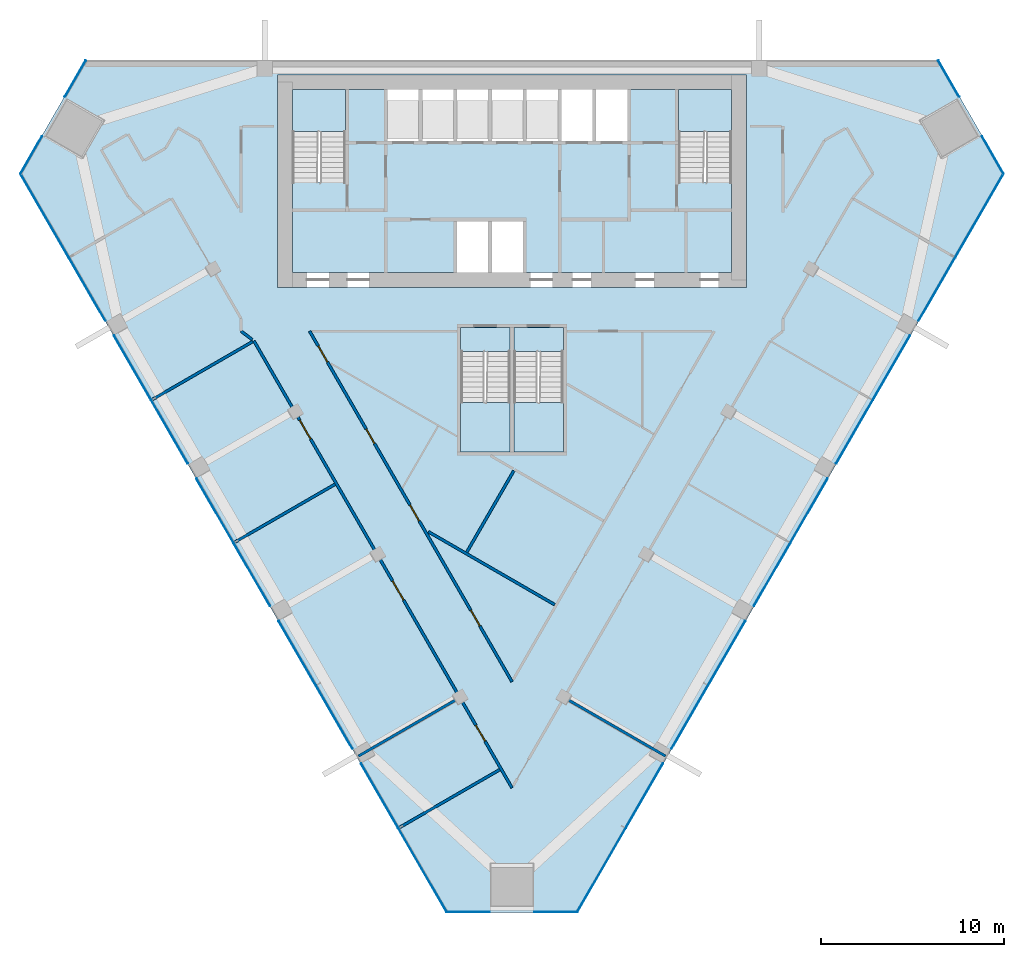
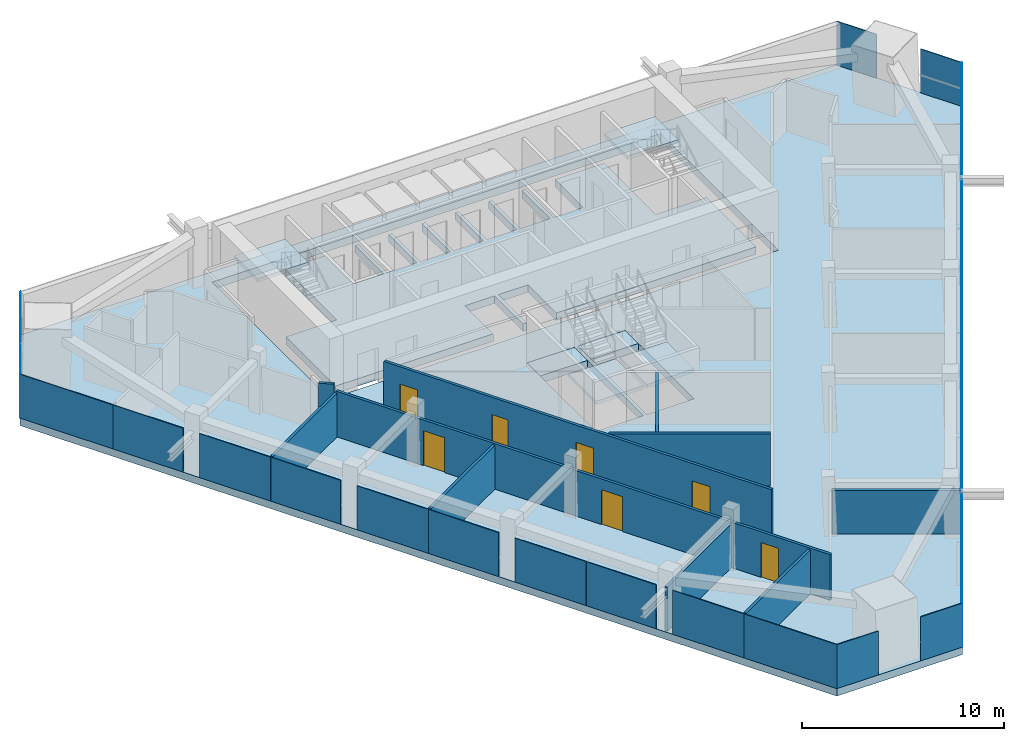
# One storey, part 8 of 13: 26 plates, 10 walls, 8 slabs, 7 doors, 7 openings, 9 elements without a shape of their own.
"""IFC4 building model written with IfcOpenShell, lengths in metres."""

from ifc_helpers import new_model, si_unit, direction, frame, frame_2d, origin, origin_2d, place, context, subcontext, project, spatial, polyline, rectangle, outline, extrude, material, layer, layer_set, type_object, element, fill, aggregate, save


model = new_model("IFC4")

# Units and contexts
model_context = context("Model", 3, precision=1e-05, world=origin(), true_north=direction((0.0, 1.0)))
body_context = subcontext(model_context, "Body", "Model", "MODEL_VIEW")
ifc_project = project(units=[si_unit("LENGTHUNIT", "METRE"), si_unit("AREAUNIT", "SQUARE_METRE"), si_unit("VOLUMEUNIT", "CUBIC_METRE"), si_unit("PLANEANGLEUNIT", "RADIAN"), si_unit("MASSUNIT", "GRAM", prefix="KILO")], contexts=[model_context])

# Site, building, storey
site_placement = place(None, origin())
site = spatial("IfcSite", under=ifc_project, at=site_placement, CompositionType="ELEMENT")
building_placement = place(site_placement, origin())
building = spatial("IfcBuilding", under=site, at=building_placement, Name="Altiplano Prism Tower", CompositionType="ELEMENT")
storey_placement = place(building_placement, frame((0.0, 0.0, 160.199951171875)))
storey = spatial("IfcBuildingStorey", under=building, at=storey_placement, Name="L41", CompositionType="ELEMENT", Elevation=160.199951171875)

# Curtain wall, plates
ifc_material_1 = material(Name="Aluminium and glass", Category="aluminium")
ifc_layer_1 = layer(ifc_material_1, 0.303955078125)
ifc_layer_set_1 = layer_set([ifc_layer_1], Name="Aluminium and glass")
curtain_wall_type = type_object("IfcCurtainWallType", Name="CW2 lounge-band unitised glazing", PredefinedType="NOTDEFINED", material=ifc_layer_set_1)
curtain_wall_1_placement = place(storey_placement, origin())
curtain_wall_1 = element("IfcCurtainWall", 1, at=curtain_wall_1_placement, inside=storey, type_object=curtain_wall_type, Name="CW2 curtain wall north-west chamfer L41", PredefinedType="NOTDEFINED")
ifc_material_2 = material(Name="Clear glass", Category="glass")
ifc_layer_2 = layer(ifc_material_2, 0.0439453125)
ifc_layer_set_2 = layer_set([ifc_layer_2], Name="Clear glass")
plate_type = type_object("IfcPlateType", Name="CW2 insulated glass unit 44", PredefinedType="CURTAIN_PANEL", material=ifc_layer_set_2)
plate_1_placement = place(storey_placement, frame((61.143310546875, 103.994873046875, 0.0), z_axis=(0.0, 0.0, 1.0), x_axis=(-0.500000013241, -0.86602539614, 0.0)))
plate_1 = element("IfcPlate", 2, at=plate_1_placement, type_object=plate_type, Name="CW2 panel", PredefinedType="CURTAIN_PANEL", context=body_context, shape_type="SweptSolid", body=[
    extrude(rectangle(XDim=2.2861328125, YDim=0.0439453125, at=origin_2d()), origin(), (0.0, 0.0, 1.0), 2.64990234375),
])
plate_2_placement = place(storey_placement, frame((58.7353515625, 99.823974609375, 0.0), z_axis=(0.0, 0.0, 1.0), x_axis=(-0.500000013241, -0.86602539614, 0.0)))
plate_2 = element("IfcPlate", 3, at=plate_2_placement, type_object=plate_type, Name="CW2 panel", PredefinedType="CURTAIN_PANEL", context=body_context, shape_type="SweptSolid", body=[
    extrude(rectangle(XDim=2.365966796875, YDim=0.0439453125, at=origin_2d()), origin(), (0.0, 0.0, 1.0), 2.64990234375),
])
aggregate(curtain_wall_1, [plate_1, plate_2])

curtain_wall_2_placement = place(storey_placement, origin())
curtain_wall_2 = element("IfcCurtainWall", 4, at=curtain_wall_2_placement, inside=storey, type_object=curtain_wall_type, Name="CW2 curtain wall south-west face L41", PredefinedType="NOTDEFINED")
plate_3_placement = place(storey_placement, frame((59.466796875, 96.521484375, 0.0), z_axis=(0.0, 0.0, 1.0), x_axis=(0.500000003129, -0.866025401978, 0.0)))
plate_3 = element("IfcPlate", 5, at=plate_3_placement, type_object=plate_type, Name="CW2 panel", PredefinedType="CURTAIN_PANEL", context=body_context, shape_type="SweptSolid", body=[
    extrude(rectangle(XDim=5.291748046875, YDim=0.0439453125, at=origin_2d()), origin(), (0.0, 0.0, 1.0), 2.64990234375),
])
plate_4_placement = place(storey_placement, frame((61.791015625, 92.49560546875, 0.0), z_axis=(0.0, 0.0, 1.0), x_axis=(0.500000003129, -0.866025401978, 0.0)))
plate_4 = element("IfcPlate", 6, at=plate_4_placement, type_object=plate_type, Name="CW2 panel", PredefinedType="CURTAIN_PANEL", context=body_context, shape_type="SweptSolid", body=[
    extrude(rectangle(XDim=3.985595703125, YDim=0.0439453125, at=origin_2d()), origin(), (0.0, 0.0, 1.0), 2.64990234375),
])
plate_5_placement = place(storey_placement, frame((64.2734375, 88.19580078125, 0.0), z_axis=(0.0, 0.0, 1.0), x_axis=(0.500000003129, -0.866025401978, 0.0)))
plate_5 = element("IfcPlate", 7, at=plate_5_placement, type_object=plate_type, Name="CW2 panel", PredefinedType="CURTAIN_PANEL", context=body_context, shape_type="SweptSolid", body=[
    extrude(rectangle(XDim=4.064453125, YDim=0.0439453125, at=origin_2d()), origin(), (0.0, 0.0, 1.0), 2.64990234375),
])
plate_6_placement = place(storey_placement, frame((66.291015625, 84.701416015625, 0.0), z_axis=(0.0, 0.0, 1.0), x_axis=(0.500000003129, -0.866025401978, 0.0)))
plate_6 = element("IfcPlate", 8, at=plate_6_placement, type_object=plate_type, Name="CW2 panel", PredefinedType="CURTAIN_PANEL", context=body_context, shape_type="SweptSolid", body=[
    extrude(rectangle(XDim=3.985595703125, YDim=0.0439453125, at=origin_2d()), origin(), (0.0, 0.0, 1.0), 2.64990234375),
])
plate_7_placement = place(storey_placement, frame((68.7734375, 80.4013671875, 0.0), z_axis=(0.0, 0.0, 1.0), x_axis=(0.500000003129, -0.866025401978, 0.0)))
plate_7 = element("IfcPlate", 9, at=plate_7_placement, type_object=plate_type, Name="CW2 panel", PredefinedType="CURTAIN_PANEL", context=body_context, shape_type="SweptSolid", body=[
    extrude(rectangle(XDim=4.064453125, YDim=0.0439453125, at=origin_2d()), origin(), (0.0, 0.0, 1.0), 2.64990234375),
])
plate_8_placement = place(storey_placement, frame((70.791015625, 76.906982421875, 0.0), z_axis=(0.0, 0.0, 1.0), x_axis=(0.500000003129, -0.866025401978, 0.0)))
plate_8 = element("IfcPlate", 10, at=plate_8_placement, type_object=plate_type, Name="CW2 panel", PredefinedType="CURTAIN_PANEL", context=body_context, shape_type="SweptSolid", body=[
    extrude(rectangle(XDim=3.985595703125, YDim=0.0439453125, at=origin_2d()), origin(), (0.0, 0.0, 1.0), 2.64990234375),
])
plate_9_placement = place(storey_placement, frame((73.2734375, 72.607177734375, 0.0), z_axis=(0.0, 0.0, 1.0), x_axis=(0.500000003129, -0.866025401978, 0.0)))
plate_9 = element("IfcPlate", 11, at=plate_9_placement, type_object=plate_type, Name="CW2 panel", PredefinedType="CURTAIN_PANEL", context=body_context, shape_type="SweptSolid", body=[
    extrude(rectangle(XDim=4.064453125, YDim=0.0439453125, at=origin_2d()), origin(), (0.0, 0.0, 1.0), 2.64990234375),
])
plate_10_placement = place(storey_placement, frame((75.291015625, 69.11279296875, 0.0), z_axis=(0.0, 0.0, 1.0), x_axis=(0.500000003129, -0.866025401978, 0.0)))
plate_10 = element("IfcPlate", 12, at=plate_10_placement, type_object=plate_type, Name="CW2 panel", PredefinedType="CURTAIN_PANEL", context=body_context, shape_type="SweptSolid", body=[
    extrude(rectangle(XDim=3.985595703125, YDim=0.0439453125, at=origin_2d()), origin(), (0.0, 0.0, 1.0), 2.64990234375),
])
plate_11_placement = place(storey_placement, frame((77.7734375, 64.81298828125, 0.0), z_axis=(0.0, 0.0, 1.0), x_axis=(0.500000003129, -0.866025401978, 0.0)))
plate_11 = element("IfcPlate", 13, at=plate_11_placement, type_object=plate_type, Name="CW2 panel", PredefinedType="CURTAIN_PANEL", context=body_context, shape_type="SweptSolid", body=[
    extrude(rectangle(XDim=4.064453125, YDim=0.0439453125, at=origin_2d()), origin(), (0.0, 0.0, 1.0), 2.64990234375),
])
plate_12_placement = place(storey_placement, frame((80.11767578125, 60.7529296875, 0.0), z_axis=(0.0, 0.0, 1.0), x_axis=(0.500000003129, -0.866025401978, 0.0)))
plate_12 = element("IfcPlate", 14, at=plate_12_placement, type_object=plate_type, Name="CW2 panel", PredefinedType="CURTAIN_PANEL", context=body_context, shape_type="SweptSolid", body=[
    extrude(rectangle(XDim=5.291748046875, YDim=0.0439453125, at=origin_2d()), origin(), (0.0, 0.0, 1.0), 2.64990234375),
])
aggregate(curtain_wall_2, [plate_3, plate_4, plate_5, plate_6, plate_7, plate_8, plate_9, plate_10, plate_11, plate_12])

curtain_wall_3_placement = place(storey_placement, origin())
curtain_wall_3 = element("IfcCurtainWall", 15, at=curtain_wall_3_placement, inside=storey, type_object=curtain_wall_type, Name="CW2 curtain wall south chamfer L41", PredefinedType="NOTDEFINED")
plate_13_placement = place(storey_placement, frame((82.612060546875, 58.46826171875, 0.0), z_axis=(0.0, 0.0, 1.0), x_axis=(1.0, 0.0, 0.0)))
plate_13 = element("IfcPlate", 16, at=plate_13_placement, type_object=plate_type, Name="CW2 panel", PredefinedType="CURTAIN_PANEL", context=body_context, shape_type="SweptSolid", body=[
    extrude(rectangle(XDim=2.365966796875, YDim=0.0439453125, at=origin_2d()), origin(), (0.0, 0.0, 1.0), 2.64990234375),
])
plate_14_placement = place(storey_placement, frame((87.387939453125, 58.46826171875, 0.0), z_axis=(0.0, 0.0, 1.0), x_axis=(1.0, 0.0, 0.0)))
plate_14 = element("IfcPlate", 17, at=plate_14_placement, type_object=plate_type, Name="CW2 panel", PredefinedType="CURTAIN_PANEL", context=body_context, shape_type="SweptSolid", body=[
    extrude(rectangle(XDim=2.365966796875, YDim=0.0439453125, at=origin_2d()), origin(), (0.0, 0.0, 1.0), 2.64990234375),
])
aggregate(curtain_wall_3, [plate_13, plate_14])

curtain_wall_4_placement = place(storey_placement, origin())
curtain_wall_4 = element("IfcCurtainWall", 18, at=curtain_wall_4_placement, inside=storey, type_object=curtain_wall_type, Name="CW2 curtain wall south-east face L41", PredefinedType="NOTDEFINED")
plate_15_placement = place(storey_placement, frame((89.88232421875, 60.7529296875, 0.0), z_axis=(0.0, 0.0, 1.0), x_axis=(0.500000003129, 0.866025401978, 0.0)))
plate_15 = element("IfcPlate", 19, at=plate_15_placement, type_object=plate_type, Name="CW2 panel", PredefinedType="CURTAIN_PANEL", context=body_context, shape_type="SweptSolid", body=[
    extrude(rectangle(XDim=5.291748046875, YDim=0.0439453125, at=origin_2d()), origin(), (0.0, 0.0, 1.0), 2.64990234375),
])
plate_16_placement = place(storey_placement, frame((92.2265625, 64.81298828125, 0.0), z_axis=(0.0, 0.0, 1.0), x_axis=(0.500000003129, 0.866025401978, 0.0)))
plate_16 = element("IfcPlate", 20, at=plate_16_placement, type_object=plate_type, Name="CW2 panel", PredefinedType="CURTAIN_PANEL", context=body_context, shape_type="SweptSolid", body=[
    extrude(rectangle(XDim=4.064453125, YDim=0.0439453125, at=origin_2d()), origin(), (0.0, 0.0, 1.0), 2.64990234375),
])
plate_17_placement = place(storey_placement, frame((94.708984375, 69.11279296875, 0.0), z_axis=(0.0, 0.0, 1.0), x_axis=(0.500000003129, 0.866025401978, 0.0)))
plate_17 = element("IfcPlate", 21, at=plate_17_placement, type_object=plate_type, Name="CW2 panel", PredefinedType="CURTAIN_PANEL", context=body_context, shape_type="SweptSolid", body=[
    extrude(rectangle(XDim=3.985595703125, YDim=0.0439453125, at=origin_2d()), origin(), (0.0, 0.0, 1.0), 2.64990234375),
])
plate_18_placement = place(storey_placement, frame((96.7265625, 72.607177734375, 0.0), z_axis=(0.0, 0.0, 1.0), x_axis=(0.500000003129, 0.866025401978, 0.0)))
plate_18 = element("IfcPlate", 22, at=plate_18_placement, type_object=plate_type, Name="CW2 panel", PredefinedType="CURTAIN_PANEL", context=body_context, shape_type="SweptSolid", body=[
    extrude(rectangle(XDim=4.064453125, YDim=0.0439453125, at=origin_2d()), origin(), (0.0, 0.0, 1.0), 2.64990234375),
])
plate_19_placement = place(storey_placement, frame((99.208984375, 76.906982421875, 0.0), z_axis=(0.0, 0.0, 1.0), x_axis=(0.500000003129, 0.866025401978, 0.0)))
plate_19 = element("IfcPlate", 23, at=plate_19_placement, type_object=plate_type, Name="CW2 panel", PredefinedType="CURTAIN_PANEL", context=body_context, shape_type="SweptSolid", body=[
    extrude(rectangle(XDim=3.985595703125, YDim=0.0439453125, at=origin_2d()), origin(), (0.0, 0.0, 1.0), 2.64990234375),
])
plate_20_placement = place(storey_placement, frame((101.2265625, 80.4013671875, 0.0), z_axis=(0.0, 0.0, 1.0), x_axis=(0.500000003129, 0.866025401978, 0.0)))
plate_20 = element("IfcPlate", 24, at=plate_20_placement, type_object=plate_type, Name="CW2 panel", PredefinedType="CURTAIN_PANEL", context=body_context, shape_type="SweptSolid", body=[
    extrude(rectangle(XDim=4.064453125, YDim=0.0439453125, at=origin_2d()), origin(), (0.0, 0.0, 1.0), 2.64990234375),
])
plate_21_placement = place(storey_placement, frame((103.708984375, 84.701416015625, 0.0), z_axis=(0.0, 0.0, 1.0), x_axis=(0.500000003129, 0.866025401978, 0.0)))
plate_21 = element("IfcPlate", 25, at=plate_21_placement, type_object=plate_type, Name="CW2 panel", PredefinedType="CURTAIN_PANEL", context=body_context, shape_type="SweptSolid", body=[
    extrude(rectangle(XDim=3.985595703125, YDim=0.0439453125, at=origin_2d()), origin(), (0.0, 0.0, 1.0), 2.64990234375),
])
plate_22_placement = place(storey_placement, frame((105.7265625, 88.19580078125, 0.0), z_axis=(0.0, 0.0, 1.0), x_axis=(0.500000003129, 0.866025401978, 0.0)))
plate_22 = element("IfcPlate", 26, at=plate_22_placement, type_object=plate_type, Name="CW2 panel", PredefinedType="CURTAIN_PANEL", context=body_context, shape_type="SweptSolid", body=[
    extrude(rectangle(XDim=4.064453125, YDim=0.0439453125, at=origin_2d()), origin(), (0.0, 0.0, 1.0), 2.64990234375),
])
plate_23_placement = place(storey_placement, frame((108.208984375, 92.49560546875, 0.0), z_axis=(0.0, 0.0, 1.0), x_axis=(0.500000003129, 0.866025401978, 0.0)))
plate_23 = element("IfcPlate", 27, at=plate_23_placement, type_object=plate_type, Name="CW2 panel", PredefinedType="CURTAIN_PANEL", context=body_context, shape_type="SweptSolid", body=[
    extrude(rectangle(XDim=3.985595703125, YDim=0.0439453125, at=origin_2d()), origin(), (0.0, 0.0, 1.0), 2.64990234375),
])
plate_24_placement = place(storey_placement, frame((110.533203125, 96.521484375, 0.0), z_axis=(0.0, 0.0, 1.0), x_axis=(0.500000003129, 0.866025401978, 0.0)))
plate_24 = element("IfcPlate", 28, at=plate_24_placement, type_object=plate_type, Name="CW2 panel", PredefinedType="CURTAIN_PANEL", context=body_context, shape_type="SweptSolid", body=[
    extrude(rectangle(XDim=5.291748046875, YDim=0.0439453125, at=origin_2d()), origin(), (0.0, 0.0, 1.0), 2.64990234375),
])
aggregate(curtain_wall_4, [plate_15, plate_16, plate_17, plate_18, plate_19, plate_20, plate_21, plate_22, plate_23, plate_24])

curtain_wall_5_placement = place(storey_placement, origin())
curtain_wall_5 = element("IfcCurtainWall", 29, at=curtain_wall_5_placement, inside=storey, type_object=curtain_wall_type, Name="CW2 curtain wall north-east chamfer L41", PredefinedType="NOTDEFINED")
plate_25_placement = place(storey_placement, frame((111.2646484375, 99.823974609375, 0.0), z_axis=(0.0, 0.0, 1.0), x_axis=(-0.500000013241, 0.86602539614, 0.0)))
plate_25 = element("IfcPlate", 30, at=plate_25_placement, type_object=plate_type, Name="CW2 panel", PredefinedType="CURTAIN_PANEL", context=body_context, shape_type="SweptSolid", body=[
    extrude(rectangle(XDim=2.365966796875, YDim=0.0439453125, at=origin_2d()), origin(), (0.0, 0.0, 1.0), 2.64990234375),
])
plate_26_placement = place(storey_placement, frame((108.856689453125, 103.994873046875, 0.0), z_axis=(0.0, 0.0, 1.0), x_axis=(-0.500000013241, 0.86602539614, 0.0)))
plate_26 = element("IfcPlate", 31, at=plate_26_placement, type_object=plate_type, Name="CW2 panel", PredefinedType="CURTAIN_PANEL", context=body_context, shape_type="SweptSolid", body=[
    extrude(rectangle(XDim=2.2861328125, YDim=0.0439453125, at=origin_2d()), origin(), (0.0, 0.0, 1.0), 2.64990234375),
])
aggregate(curtain_wall_5, [plate_25, plate_26])

# Slabs
ifc_material_3 = material(Name="Concrete C40/50", Category="concrete")
ifc_layer_3 = layer(ifc_material_3, 0.449951171875)
ifc_layer_set_3 = layer_set([ifc_layer_3], Name="Concrete C40/50")
slab_type_1 = type_object("IfcSlabType", Name="Core floor slab 450", PredefinedType="FLOOR", material=ifc_layer_set_3)
slab_1_placement = place(storey_placement, frame((0.0, 0.0, -0.449951171875)))
element("IfcSlab", 32, at=slab_1_placement, inside=storey, type_object=slab_type_1, Name="Core floor slab L41", PredefinedType="FLOOR", context=body_context, shape_type="SweptSolid", body=[
    extrude(outline(polyline([(97.0, 98.31005859375), (94.10009765625, 98.31005859375), (94.10009765625, 103.39990234375), (91.300048828125, 103.39990234375), (91.300048828125, 100.60009765625), (89.60009765625, 100.60009765625), (89.60009765625, 103.39990234375), (89.39990234375, 103.39990234375), (89.39990234375, 100.60009765625), (87.699951171875, 100.60009765625), (87.699951171875, 103.39990234375), (87.5, 103.39990234375), (87.5, 100.60009765625), (85.800048828125, 100.60009765625), (85.800048828125, 103.39990234375), (85.60009765625, 103.39990234375), (85.60009765625, 100.60009765625), (83.89990234375, 100.60009765625), (83.89990234375, 103.39990234375), (83.699951171875, 103.39990234375), (83.699951171875, 100.60009765625), (82.0, 100.60009765625), (82.0, 103.39990234375), (81.800048828125, 103.39990234375), (81.800048828125, 100.60009765625), (80.10009765625, 100.60009765625), (80.10009765625, 103.39990234375), (79.89990234375, 103.39990234375), (79.89990234375, 100.60009765625), (78.199951171875, 100.60009765625), (78.199951171875, 103.39990234375), (75.89990234375, 103.39990234375), (75.89990234375, 98.31005859375), (73.0, 98.31005859375), (73.0, 93.39990234375), (82.0, 93.39990234375), (82.0, 96.199951171875), (83.699951171875, 96.199951171875), (83.699951171875, 93.39990234375), (83.89990234375, 93.39990234375), (83.89990234375, 96.199951171875), (85.60009765625, 96.199951171875), (85.60009765625, 93.39990234375), (97.0, 93.39990234375), (97.0, 98.31005859375)])), origin(), (0.0, 0.0, 1.0), 0.449951171875),
])
slab_2_placement = place(storey_placement, frame((0.0, 0.0, -0.449951171875)))
element("IfcSlab", 33, at=slab_2_placement, inside=storey, type_object=slab_type_1, Name="Stair 3A landing slab L41", PredefinedType="FLOOR", context=body_context, shape_type="SweptSolid", body=[
    extrude(outline(polyline([(82.199951171875, 89.096923828125), (84.89990234375, 89.096923828125), (84.89990234375, 90.39990234375), (82.199951171875, 90.39990234375), (82.199951171875, 89.096923828125)])), origin(), (0.0, 0.0, 1.0), 0.449951171875),
])
slab_3_placement = place(storey_placement, frame((0.0, 0.0, -0.449951171875)))
element("IfcSlab", 34, at=slab_3_placement, inside=storey, type_object=slab_type_1, Name="Stair 3B landing slab L41", PredefinedType="FLOOR", context=body_context, shape_type="SweptSolid", body=[
    extrude(outline(polyline([(85.10009765625, 89.096923828125), (87.800048828125, 89.096923828125), (87.800048828125, 90.39990234375), (85.10009765625, 90.39990234375), (85.10009765625, 89.096923828125)])), origin(), (0.0, 0.0, 1.0), 0.449951171875),
])
ifc_layer_4 = layer(ifc_material_3, 0.449951171875)
ifc_layer_set_4 = layer_set([ifc_layer_4], Name="Concrete C40/50")
slab_type_2 = type_object("IfcSlabType", Name="Post-tensioned flat slab 450", PredefinedType="FLOOR", material=ifc_layer_set_4)
slab_4_placement = place(storey_placement, frame((0.0, 0.0, -0.449951171875)))
element("IfcSlab", 35, at=slab_4_placement, inside=storey, type_object=slab_type_2, Name="Floor slab L41", PredefinedType="FLOOR", context=body_context, shape_type="SweptSolid", body=[
    extrude(outline(polyline([(81.423828125, 58.4462890625), (58.122314453125, 98.80615234375), (61.6982421875, 105.0), (108.3017578125, 105.0), (111.877685546875, 98.80615234375), (88.576171875, 58.4462890625), (81.423828125, 58.4462890625)]), holes=[polyline([(72.199951171875, 104.199951171875), (72.199951171875, 92.60009765625), (97.800048828125, 92.60009765625), (97.800048828125, 104.199951171875), (72.199951171875, 104.199951171875)]), polyline([(84.89990234375, 90.39990234375), (82.199951171875, 90.39990234375), (82.199951171875, 83.60009765625), (84.89990234375, 83.60009765625), (84.89990234375, 90.39990234375)]), polyline([(87.800048828125, 83.60009765625), (87.800048828125, 90.39990234375), (85.10009765625, 90.39990234375), (85.10009765625, 83.60009765625), (87.800048828125, 83.60009765625)])]), origin(), (0.0, 0.0, 1.0), 0.449951171875),
])

# Stair, slab
stair_type_1 = type_object("IfcStairType", Name="Exit stair 1400", PredefinedType="HALF_TURN_STAIR", material=ifc_material_3)
stair_1_placement = place(storey_placement, origin())
stair_1 = element("IfcStair", 36, at=stair_1_placement, inside=storey, type_object=stair_type_1, Name="L41 Exit Stair 1", PredefinedType="HALF_TURN_STAIR")
ifc_layer_5 = layer(ifc_material_3, 0.199951171875)
ifc_layer_set_5 = layer_set([ifc_layer_5], Name="Concrete C40/50")
slab_type_3 = type_object("IfcSlabType", Name="Stair landing 200", PredefinedType="LANDING", material=ifc_layer_set_5)
slab_5_placement = place(storey_placement, frame((0.0, 0.0, 1.60009765625)))
slab_5 = element("IfcSlab", 37, at=slab_5_placement, type_object=slab_type_3, Name="ST1 landing 1", PredefinedType="LANDING", context=body_context, shape_type="SweptSolid", body=[
    extrude(outline(polyline([(75.89990234375, 101.096923828125), (75.89990234375, 103.39990234375), (73.0, 103.39990234375), (73.0, 101.096923828125), (75.89990234375, 101.096923828125)])), origin(), (0.0, 0.0, 1.0), 0.199951171875),
])
aggregate(stair_1, [slab_5])

stair_2_placement = place(storey_placement, origin())
stair_2 = element("IfcStair", 38, at=stair_2_placement, inside=storey, type_object=stair_type_1, Name="L41 Exit Stair 2", PredefinedType="HALF_TURN_STAIR")
slab_6_placement = place(storey_placement, frame((0.0, 0.0, 1.60009765625)))
slab_6 = element("IfcSlab", 39, at=slab_6_placement, type_object=slab_type_3, Name="ST2 landing 1", PredefinedType="LANDING", context=body_context, shape_type="SweptSolid", body=[
    extrude(outline(polyline([(97.0, 101.096923828125), (97.0, 103.39990234375), (94.10009765625, 103.39990234375), (94.10009765625, 101.096923828125), (97.0, 101.096923828125)])), origin(), (0.0, 0.0, 1.0), 0.199951171875),
])
aggregate(stair_2, [slab_6])

stair_type_2 = type_object("IfcStairType", Name="Exit stair 1300", PredefinedType="HALF_TURN_STAIR", material=ifc_material_3)
stair_3_placement = place(storey_placement, origin())
stair_3 = element("IfcStair", 40, at=stair_3_placement, inside=storey, type_object=stair_type_2, Name="L41 Exit Stair 3A", PredefinedType="HALF_TURN_STAIR")
slab_7_placement = place(storey_placement, frame((0.0, 0.0, 1.60009765625)))
slab_7 = element("IfcSlab", 41, at=slab_7_placement, type_object=slab_type_3, Name="ST3A landing 1", PredefinedType="LANDING", context=body_context, shape_type="SweptSolid", body=[
    extrude(outline(polyline([(82.199951171875, 86.302978515625), (82.199951171875, 83.60009765625), (84.89990234375, 83.60009765625), (84.89990234375, 86.302978515625), (82.199951171875, 86.302978515625)])), origin(), (0.0, 0.0, 1.0), 0.199951171875),
])
aggregate(stair_3, [slab_7])

stair_4_placement = place(storey_placement, origin())
stair_4 = element("IfcStair", 42, at=stair_4_placement, inside=storey, type_object=stair_type_2, Name="L41 Exit Stair 3B", PredefinedType="HALF_TURN_STAIR")
slab_8_placement = place(storey_placement, frame((0.0, 0.0, 1.60009765625)))
slab_8 = element("IfcSlab", 43, at=slab_8_placement, type_object=slab_type_3, Name="ST3B landing 1", PredefinedType="LANDING", context=body_context, shape_type="SweptSolid", body=[
    extrude(outline(polyline([(85.10009765625, 86.302978515625), (85.10009765625, 83.60009765625), (87.800048828125, 83.60009765625), (87.800048828125, 86.302978515625), (85.10009765625, 86.302978515625)])), origin(), (0.0, 0.0, 1.0), 0.199951171875),
])
aggregate(stair_4, [slab_8])

# Wall, openings, doors
ifc_material_4 = material(Name="Plasterboard on steel stud", Category="steel")
ifc_layer_6 = layer(ifc_material_4, 0.14990234375)
ifc_layer_set_6 = layer_set([ifc_layer_6], Name="Plasterboard on steel stud")
wall_type_1 = type_object("IfcWallType", Name="Partition 150 corridor", PredefinedType="PARTITIONING", material=ifc_layer_set_6)
wall_1_placement = place(storey_placement, frame((85.0, 71.052490234375, 0.0), z_axis=(0.0, 0.0, 1.0), x_axis=(-0.500004746134, 0.866022663585, 0.0)))
wall_1 = element("IfcWall", 44, at=wall_1_placement, inside=storey, type_object=wall_type_1, Name="Partition P06 L41 003", PredefinedType="PARTITIONING", context=body_context, shape_type="SweptSolid", body=[
    extrude(rectangle(XDim=22.109619140625, YDim=0.14990234375, at=frame_2d((11.0546875, 0.0))), origin(), (0.0, 0.0, 1.0), 3.150146484375),
])
opening_1_placement = place(wall_1_placement, frame((15.028076171875, 0.0, 0.0)))
opening_1 = element("IfcOpeningElement", 45, at=opening_1_placement, cuts=wall_1, Name="Opening D1456", PredefinedType="OPENING", context=body_context, shape_type="SweptSolid", body=[
    extrude(rectangle(XDim=0.89990234375, YDim=2.10009765625, at=frame_2d((0.449951171875, 1.050048828125))), frame((0.0, 0.08544921875, 0.0), z_axis=(0.0, -1.0, 0.0), x_axis=(1.0, 0.0, 0.0)), (0.0, 0.0, 1.0), 0.1708984375),
])
opening_2_placement = place(wall_1_placement, frame((3.508056640625, 0.0, 0.0)))
opening_2 = element("IfcOpeningElement", 46, at=opening_2_placement, cuts=wall_1, Name="Opening D1458", PredefinedType="OPENING", context=body_context, shape_type="SweptSolid", body=[
    extrude(rectangle(XDim=1.0, YDim=2.10009765625, at=frame_2d((0.5, 1.050048828125))), frame((0.0, 0.08544921875, 0.0), z_axis=(0.0, -1.0, 0.0), x_axis=(1.0, 0.0, 0.0)), (0.0, 0.0, 1.0), 0.1708984375),
])
opening_3_placement = place(wall_1_placement, frame((10.14306640625, 0.0, 0.0)))
opening_3 = element("IfcOpeningElement", 47, at=opening_3_placement, cuts=wall_1, Name="Opening D1459", PredefinedType="OPENING", context=body_context, shape_type="SweptSolid", body=[
    extrude(rectangle(XDim=1.0, YDim=2.10009765625, at=frame_2d((0.5, 1.050048828125))), frame((0.0, 0.08544921875, 0.0), z_axis=(0.0, -1.0, 0.0), x_axis=(1.0, 0.0, 0.0)), (0.0, 0.0, 1.0), 0.1708984375),
])
opening_4_placement = place(wall_1_placement, frame((20.16796875, 0.0, 0.0)))
opening_4 = element("IfcOpeningElement", 48, at=opening_4_placement, cuts=wall_1, Name="Opening D1472", PredefinedType="OPENING", context=body_context, shape_type="SweptSolid", body=[
    extrude(rectangle(XDim=1.0, YDim=2.10009765625, at=frame_2d((0.5, 1.050048828125))), frame((0.0, 0.08544921875, 0.0), z_axis=(0.0, -1.0, 0.0), x_axis=(1.0, 0.0, 0.0)), (0.0, 0.0, 1.0), 0.1708984375),
])
ifc_material_5 = material(Name="Timber", Category="wood")
door_type_1 = type_object("IfcDoorType", Name="Room door 1000 x 2100", OperationType="NOTDEFINED", PredefinedType="NOTDEFINED", material=ifc_material_5)
door_1_placement = place(opening_4_placement, origin())
door_1 = element("IfcDoor", 49, at=door_1_placement, inside=storey, type_object=door_type_1, Name="Door D1472", OperationType="SINGLE_SWING_LEFT", OverallHeight=2.10009765625, OverallWidth=1.0, PredefinedType="NOTDEFINED", context=body_context, shape_type="SweptSolid", body=[
    extrude(rectangle(XDim=1.0, YDim=2.10009765625, at=frame_2d((0.5, 1.050048828125))), frame((0.0, 0.02490234375, 0.0), z_axis=(0.0, -1.0, 0.0), x_axis=(1.0, 0.0, 0.0)), (0.0, 0.0, 1.0), 0.050048828125),
])
fill(opening_4, door_1)
door_type_2 = type_object("IfcDoorType", Name="Store door 1000 x 2100", OperationType="NOTDEFINED", PredefinedType="NOTDEFINED", material=ifc_material_5)
door_2_placement = place(opening_2_placement, origin())
door_2 = element("IfcDoor", 50, at=door_2_placement, inside=storey, type_object=door_type_2, Name="Door D1458", OperationType="SINGLE_SWING_RIGHT", OverallHeight=2.10009765625, OverallWidth=1.0, PredefinedType="NOTDEFINED", context=body_context, shape_type="SweptSolid", body=[
    extrude(rectangle(XDim=1.0, YDim=2.10009765625, at=frame_2d((0.5, 1.050048828125))), frame((0.0, 0.02490234375, 0.0), z_axis=(0.0, -1.0, 0.0), x_axis=(1.0, 0.0, 0.0)), (0.0, 0.0, 1.0), 0.050048828125),
])
fill(opening_2, door_2)
door_3_placement = place(opening_3_placement, origin())
door_3 = element("IfcDoor", 51, at=door_3_placement, inside=storey, type_object=door_type_2, Name="Door D1459", OperationType="SINGLE_SWING_RIGHT", OverallHeight=2.10009765625, OverallWidth=1.0, PredefinedType="NOTDEFINED", context=body_context, shape_type="SweptSolid", body=[
    extrude(rectangle(XDim=1.0, YDim=2.10009765625, at=frame_2d((0.5, 1.050048828125))), frame((0.0, 0.02490234375, 0.0), z_axis=(0.0, -1.0, 0.0), x_axis=(1.0, 0.0, 0.0)), (0.0, 0.0, 1.0), 0.050048828125),
])
fill(opening_3, door_3)
door_type_3 = type_object("IfcDoorType", Name="Toilet door 900 x 2100", OperationType="NOTDEFINED", PredefinedType="NOTDEFINED", material=ifc_material_5)
door_4_placement = place(opening_1_placement, origin())
door_4 = element("IfcDoor", 52, at=door_4_placement, inside=storey, type_object=door_type_3, Name="Door D1456", OperationType="SINGLE_SWING_LEFT", OverallHeight=2.10009765625, OverallWidth=0.89990234375, PredefinedType="NOTDEFINED", context=body_context, shape_type="SweptSolid", body=[
    extrude(rectangle(XDim=0.89990234375, YDim=2.10009765625, at=frame_2d((0.449951171875, 1.050048828125))), frame((0.0, 0.02490234375, 0.0), z_axis=(0.0, -1.0, 0.0), x_axis=(1.0, 0.0, 0.0)), (0.0, 0.0, 1.0), 0.050048828125),
])
fill(opening_1, door_4)

# Wall
wall_2_placement = place(storey_placement, frame((70.199951171875, 90.199951171875, 0.0), z_axis=(0.0, 0.0, 1.0), x_axis=(0.798544596018, -0.601935651188, 0.0)))
element("IfcWall", 53, at=wall_2_placement, inside=storey, type_object=wall_type_1, Name="Partition P06 L41 007", PredefinedType="PARTITIONING", context=body_context, shape_type="SweptSolid", body=[
    extrude(rectangle(XDim=0.76611328125, YDim=0.14990234375, at=frame_2d((0.383056640625, 0.0))), origin(), (0.0, 0.0, 1.0), 3.150146484375),
])

# Wall, openings, doors
wall_3_placement = place(storey_placement, frame((70.90234375, 89.67041015625, 0.0), z_axis=(0.0, 0.0, 1.0), x_axis=(0.499998282143, -0.866026395587, 0.0)))
wall_3 = element("IfcWall", 54, at=wall_3_placement, inside=storey, type_object=wall_type_1, Name="Partition P06 L41 008", PredefinedType="PARTITIONING", context=body_context, shape_type="SweptSolid", body=[
    extrude(rectangle(XDim=28.1953125, YDim=0.14990234375, at=frame_2d((14.09765625, 0.0))), origin(), (0.0, 0.0, 1.0), 2.75),
])
opening_5_placement = place(wall_3_placement, frame((5.0, 0.0, 0.0)))
opening_5 = element("IfcOpeningElement", 55, at=opening_5_placement, cuts=wall_3, Name="Opening D1462", PredefinedType="OPENING", context=body_context, shape_type="SweptSolid", body=[
    extrude(rectangle(XDim=1.199951171875, YDim=2.10009765625, at=frame_2d((0.60009765625, 1.050048828125))), frame((0.0, 0.08544921875, 0.0), z_axis=(0.0, -1.0, 0.0), x_axis=(1.0, 0.0, 0.0)), (0.0, 0.0, 1.0), 0.1708984375),
])
opening_6_placement = place(wall_3_placement, frame((15.14990234375, 0.0, 0.0)))
opening_6 = element("IfcOpeningElement", 56, at=opening_6_placement, cuts=wall_3, Name="Opening D1463", PredefinedType="OPENING", context=body_context, shape_type="SweptSolid", body=[
    extrude(rectangle(XDim=1.199951171875, YDim=2.10009765625, at=frame_2d((0.60009765625, 1.050048828125))), frame((0.0, 0.08544921875, 0.0), z_axis=(0.0, -1.0, 0.0), x_axis=(1.0, 0.0, 0.0)), (0.0, 0.0, 1.0), 0.1708984375),
])
opening_7_placement = place(wall_3_placement, frame((24.25, 0.0, 0.0)))
opening_7 = element("IfcOpeningElement", 57, at=opening_7_placement, cuts=wall_3, Name="Opening D1464", PredefinedType="OPENING", context=body_context, shape_type="SweptSolid", body=[
    extrude(rectangle(XDim=1.0, YDim=2.10009765625, at=frame_2d((0.5, 1.050048828125))), frame((0.0, 0.08544921875, 0.0), z_axis=(0.0, -1.0, 0.0), x_axis=(1.0, 0.0, 0.0)), (0.0, 0.0, 1.0), 0.1708984375),
])
door_5_placement = place(opening_7_placement, origin())
door_5 = element("IfcDoor", 58, at=door_5_placement, inside=storey, type_object=door_type_1, Name="Door D1464", OperationType="SINGLE_SWING_LEFT", OverallHeight=2.10009765625, OverallWidth=1.0, PredefinedType="NOTDEFINED", context=body_context, shape_type="SweptSolid", body=[
    extrude(rectangle(XDim=1.0, YDim=2.10009765625, at=frame_2d((0.5, 1.050048828125))), frame((0.0, 0.02490234375, 0.0), z_axis=(0.0, -1.0, 0.0), x_axis=(1.0, 0.0, 0.0)), (0.0, 0.0, 1.0), 0.050048828125),
])
fill(opening_7, door_5)
door_type_4 = type_object("IfcDoorType", Name="Shared room door 1200 x 2100", OperationType="NOTDEFINED", PredefinedType="NOTDEFINED", material=ifc_material_5)
door_6_placement = place(opening_5_placement, origin())
door_6 = element("IfcDoor", 59, at=door_6_placement, inside=storey, type_object=door_type_4, Name="Door D1462", OperationType="SINGLE_SWING_RIGHT", OverallHeight=2.10009765625, OverallWidth=1.199951171875, PredefinedType="NOTDEFINED", context=body_context, shape_type="SweptSolid", body=[
    extrude(rectangle(XDim=1.199951171875, YDim=2.10009765625, at=frame_2d((0.60009765625, 1.050048828125))), frame((0.0, 0.02490234375, 0.0), z_axis=(0.0, -1.0, 0.0), x_axis=(1.0, 0.0, 0.0)), (0.0, 0.0, 1.0), 0.050048828125),
])
fill(opening_5, door_6)
door_7_placement = place(opening_6_placement, origin())
door_7 = element("IfcDoor", 60, at=door_7_placement, inside=storey, type_object=door_type_4, Name="Door D1463", OperationType="SINGLE_SWING_LEFT", OverallHeight=2.10009765625, OverallWidth=1.199951171875, PredefinedType="NOTDEFINED", context=body_context, shape_type="SweptSolid", body=[
    extrude(rectangle(XDim=1.199951171875, YDim=2.10009765625, at=frame_2d((0.60009765625, 1.050048828125))), frame((0.0, 0.02490234375, 0.0), z_axis=(0.0, -1.0, 0.0), x_axis=(1.0, 0.0, 0.0)), (0.0, 0.0, 1.0), 0.050048828125),
])
fill(opening_6, door_7)

# Walls
ifc_layer_7 = layer(ifc_material_4, 0.14990234375)
ifc_layer_set_7 = layer_set([ifc_layer_7], Name="Plasterboard on steel stud")
wall_type_2 = type_object("IfcWallType", Name="Partition 150 party", PredefinedType="PARTITIONING", material=ifc_layer_set_7)
wall_4_placement = place(storey_placement, frame((87.340087890625, 75.255615234375, 0.0), z_axis=(0.0, 0.0, 1.0), x_axis=(-0.866019419939, 0.500010364181, 0.0)))
element("IfcWall", 61, at=wall_4_placement, inside=storey, type_object=wall_type_2, Name="Partition P01 L41 035", PredefinedType="PARTITIONING", context=body_context, shape_type="SweptSolid", body=[
    extrude(rectangle(XDim=7.976318359375, YDim=0.14990234375, at=frame_2d((3.98828125, 0.0))), origin(), (0.0, 0.0, 1.0), 3.150146484375),
])
wall_5_placement = place(storey_placement, frame((82.52685546875, 78.12109375, 0.0), z_axis=(0.0, 0.0, 1.0), x_axis=(0.500022258742, 0.866012552312, 0.0)))
element("IfcWall", 62, at=wall_5_placement, inside=storey, type_object=wall_type_2, Name="Partition P01 L41 037", PredefinedType="PARTITIONING", context=body_context, shape_type="SweptSolid", body=[
    extrude(rectangle(XDim=5.145751953125, YDim=0.14990234375, at=frame_2d((2.57275390625, 0.0))), origin(), (0.0, 0.0, 1.0), 3.150146484375),
])
for number, where, z_axis, x_axis, name in (
    (63, (65.359619140625, 86.470458984375, 0.0), (0.0, 0.0, 1.0), (0.866025537322, 0.499999768706, 0.0), "Partition P01 L41 039"),
    (64, (69.859619140625, 78.67626953125, 0.0), (0.0, 0.0, 1.0), (0.866042250622, 0.499970819286, 0.0), "Partition P01 L41 041"),
    (65, (76.609619140625, 66.98486328125, 0.0), (0.0, 0.0, 1.0), (0.866025537322, 0.499999768706, 0.0), "Partition P01 L41 042"),
    (66, (78.859619140625, 63.087646484375, 0.0), (0.0, 0.0, 1.0), (0.866025537322, 0.499999768706, 0.0), "Partition P01 L41 043"),
    (67, (93.390380859375, 66.98486328125, 0.0), (0.0, 0.0, 1.0), (-0.866025537322, 0.499999768706, 0.0), "Partition P01 L41 044"),
):
    element("IfcWall", number, at=place(storey_placement, frame(where, z_axis=z_axis, x_axis=x_axis)), inside=storey, type_object=wall_type_2, Name=name, PredefinedType="PARTITIONING", context=body_context, shape_type="SweptSolid", body=[
        extrude(rectangle(XDim=6.3251953125, YDim=0.14990234375, at=frame_2d((3.16259765625, 0.0))), origin(), (0.0, 0.0, 1.0), 2.650146484375),
    ])

save(model, "model.ifc")
